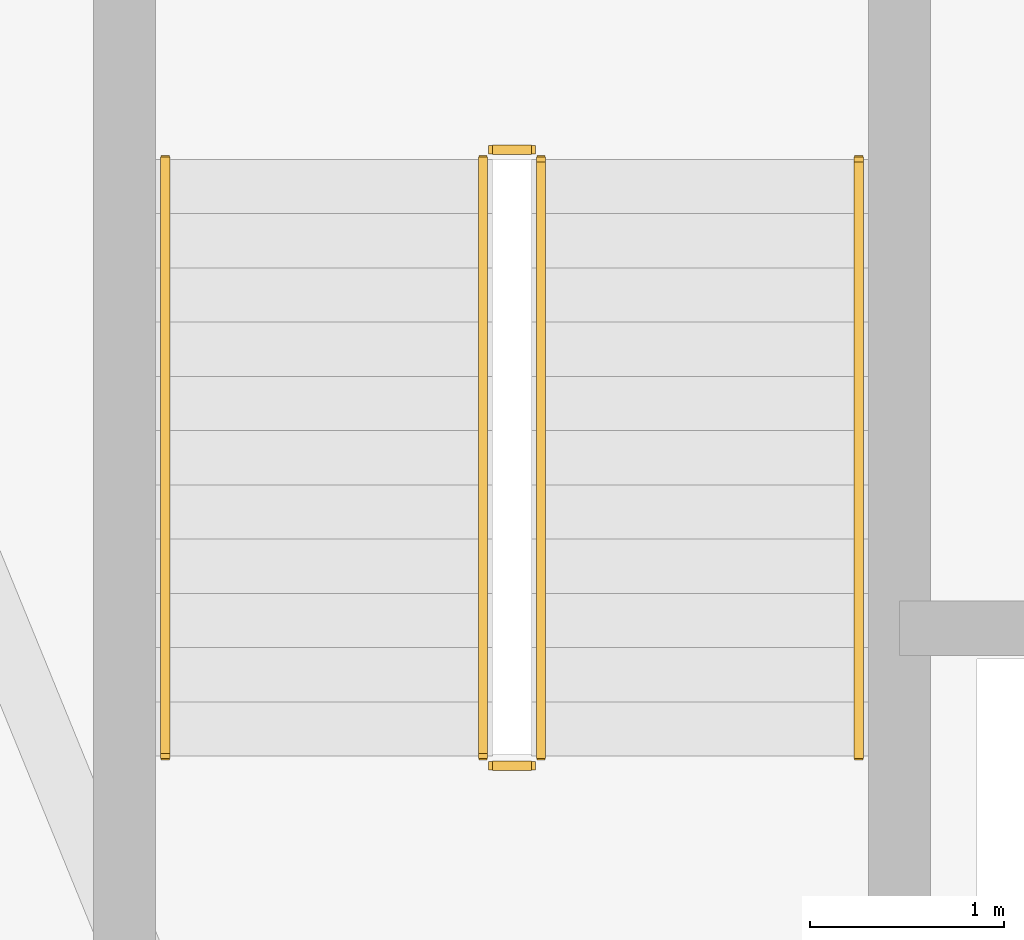
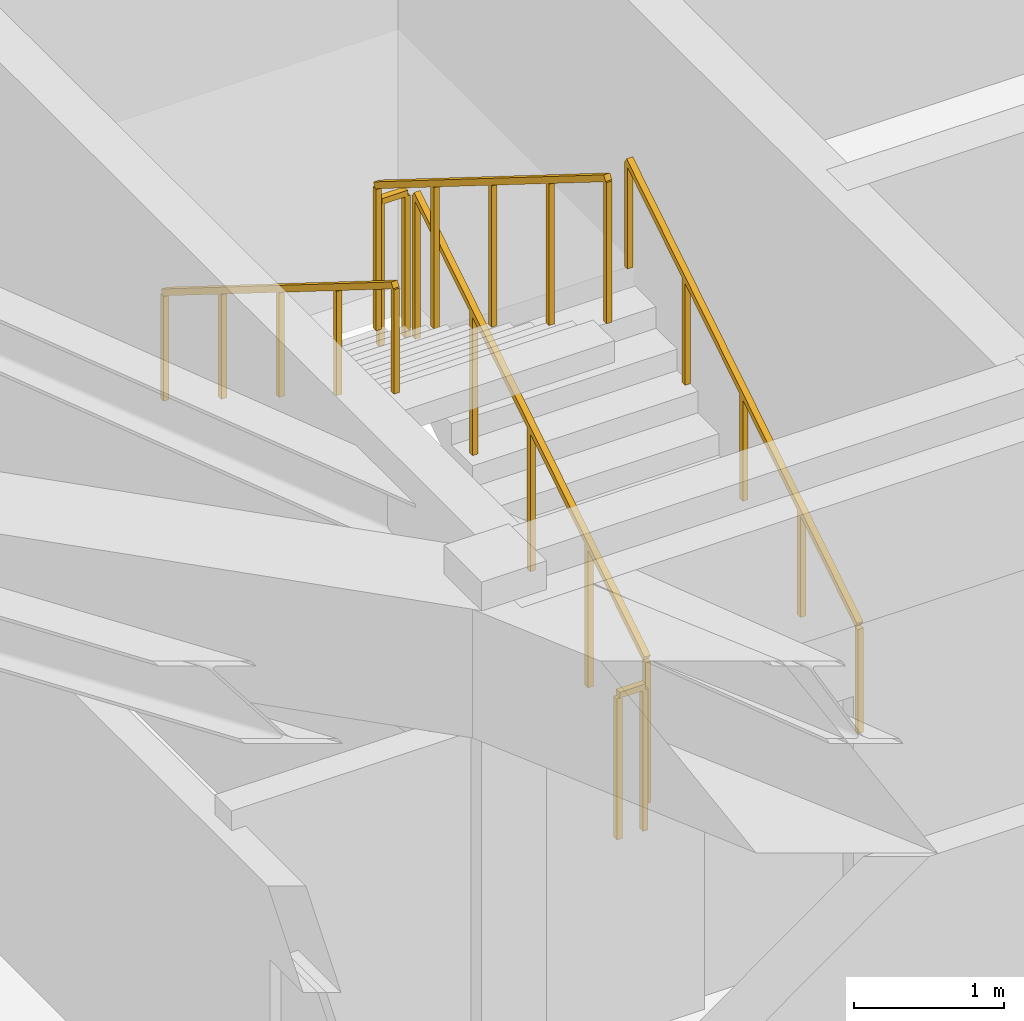
# One storey, part 7 of 7: 6 railings.
"""IFC4 building model written with IfcOpenShell, lengths in metres."""

from ifc_helpers import new_model, si_unit, direction, frame, origin, origin_2d, place, context, subcontext, project, spatial, rectangle, extrude, material, type_object, element, save


model = new_model("IFC4")

# Units and contexts
model_context = context("Model", 3, precision=1e-05, world=origin(), true_north=direction((0.0, 1.0)))
body_context = subcontext(model_context, "Body", "Model", "MODEL_VIEW")
ifc_project = project(units=[si_unit("LENGTHUNIT", "METRE"), si_unit("AREAUNIT", "SQUARE_METRE"), si_unit("VOLUMEUNIT", "CUBIC_METRE"), si_unit("PLANEANGLEUNIT", "RADIAN"), si_unit("MASSUNIT", "GRAM", prefix="KILO")], contexts=[model_context])

# Site, building, storey
site_placement = place(None, origin())
site = spatial("IfcSite", under=ifc_project, at=site_placement, CompositionType="ELEMENT")
building_placement = place(site_placement, origin())
building = spatial("IfcBuilding", under=site, at=building_placement, Name="Talyreon Biosciences Tower", CompositionType="ELEMENT")
storey_placement = place(building_placement, frame((0.0, 0.0, 321.39990234375)))
storey = spatial("IfcBuildingStorey", under=building, at=storey_placement, Name="L85", CompositionType="ELEMENT", Elevation=321.39990234375)

# Railings
ifc_material_1 = material(Name="Brushed stainless-steel tubular handrail", Category="steel")
railing_type_1 = type_object("IfcRailingType", Name="StairWallHandrail_900", PredefinedType="HANDRAIL", material=ifc_material_1)
railing_1_placement = place(storey_placement, frame((64.7900390625, 54.800048828125, 0.175048828125)))
element("IfcRailing", 1, at=railing_1_placement, inside=storey, type_object=railing_type_1, Name="L85 ST-4 stair handrail 1", PredefinedType="HANDRAIL", context=body_context, shape_type="SweptSolid", body=[
    extrude(rectangle(XDim=0.048095703125, YDim=0.048095703125, at=origin_2d()), frame((0.0, 0.0, 0.8759765625), z_axis=(0.0, 0.847979421464, 0.530029150871), x_axis=(-1.0, 0.0, 0.0)), (0.0, 0.0, 1.0), 3.632080078125),
    extrude(rectangle(XDim=0.0419921875, YDim=0.0419921875, at=origin_2d()), origin(), (0.0, 0.0, 1.0), 0.851806640625),
    extrude(rectangle(XDim=0.0419921875, YDim=0.0419921875, at=origin_2d()), frame((0.0, 0.77001953125, 0.481201171875)), (0.0, 0.0, 1.0), 0.851806640625),
    extrude(rectangle(XDim=0.0419921875, YDim=0.0419921875, at=origin_2d()), frame((0.0, 1.5400390625, 0.96240234375)), (0.0, 0.0, 1.0), 0.851806640625),
    extrude(rectangle(XDim=0.0419921875, YDim=0.0419921875, at=origin_2d()), frame((0.0, 2.309814453125, 1.44384765625)), (0.0, 0.0, 1.0), 0.851806640625),
    extrude(rectangle(XDim=0.0419921875, YDim=0.0419921875, at=origin_2d()), frame((0.0, 3.079833984375, 1.925048828125)), (0.0, 0.0, 1.0), 0.851806640625),
])
railing_2_placement = place(storey_placement, frame((61.2099609375, 57.8798828125, 2.275146484375)))
element("IfcRailing", 2, at=railing_2_placement, inside=storey, type_object=railing_type_1, Name="L85 ST-4 stair handrail 2", PredefinedType="HANDRAIL", context=body_context, shape_type="SweptSolid", body=[
    extrude(rectangle(XDim=0.048095703125, YDim=0.048095703125, at=origin_2d()), frame((0.0, 0.0, 0.8759765625), z_axis=(0.0, -0.847979421464, 0.530029150871), x_axis=(1.0, 0.0, 0.0)), (0.0, 0.0, 1.0), 3.632080078125),
    extrude(rectangle(XDim=0.0419921875, YDim=0.0419921875, at=origin_2d()), origin(), (0.0, 0.0, 1.0), 0.851806640625),
    extrude(rectangle(XDim=0.0419921875, YDim=0.0419921875, at=origin_2d()), frame((0.0, -0.77001953125, 0.481201171875)), (0.0, 0.0, 1.0), 0.851806640625),
    extrude(rectangle(XDim=0.0419921875, YDim=0.0419921875, at=origin_2d()), frame((0.0, -1.5400390625, 0.96240234375)), (0.0, 0.0, 1.0), 0.851806640625),
    extrude(rectangle(XDim=0.0419921875, YDim=0.0419921875, at=origin_2d()), frame((0.0, -2.309814453125, 1.44384765625)), (0.0, 0.0, 1.0), 0.851806640625),
    extrude(rectangle(XDim=0.0419921875, YDim=0.0419921875, at=origin_2d()), frame((0.0, -3.079833984375, 1.925048828125)), (0.0, 0.0, 1.0), 0.851806640625),
])
ifc_material_2 = material(Name="Painted galvanised steel post-and-rail balustrade", Category="steel")
railing_type_2 = type_object("IfcRailingType", Name="TerraceStairGuard_1200", PredefinedType="GUARDRAIL", material=ifc_material_2)
railing_3_placement = place(storey_placement, frame((63.14990234375, 54.800048828125, 0.175048828125)))
element("IfcRailing", 3, at=railing_3_placement, inside=storey, type_object=railing_type_2, Name="L85 ST-4 stair guard 1", PredefinedType="GUARDRAIL", context=body_context, shape_type="SweptSolid", body=[
    extrude(rectangle(XDim=0.048095703125, YDim=0.048095703125, at=origin_2d()), frame((0.0, 0.0, 1.17578125), z_axis=(0.0, 0.847979421464, 0.530029150871), x_axis=(-1.0, 0.0, 0.0)), (0.0, 0.0, 1.0), 3.632080078125),
    extrude(rectangle(XDim=0.0419921875, YDim=0.0419921875, at=origin_2d()), origin(), (0.0, 0.0, 1.0), 1.15185546875),
    extrude(rectangle(XDim=0.0419921875, YDim=0.0419921875, at=origin_2d()), frame((0.0, 0.77001953125, 0.481201171875)), (0.0, 0.0, 1.0), 1.15185546875),
    extrude(rectangle(XDim=0.0419921875, YDim=0.0419921875, at=origin_2d()), frame((0.0, 1.5400390625, 0.96240234375)), (0.0, 0.0, 1.0), 1.15185546875),
    extrude(rectangle(XDim=0.0419921875, YDim=0.0419921875, at=origin_2d()), frame((0.0, 2.309814453125, 1.44384765625)), (0.0, 0.0, 1.0), 1.15185546875),
    extrude(rectangle(XDim=0.0419921875, YDim=0.0419921875, at=origin_2d()), frame((0.0, 3.079833984375, 1.925048828125)), (0.0, 0.0, 1.0), 1.15185546875),
])
railing_4_placement = place(storey_placement, frame((63.10009765625, 57.929931640625, 2.10009765625)))
element("IfcRailing", 4, at=railing_4_placement, inside=storey, type_object=railing_type_2, Name="L85 ST-4 stair guard 2", PredefinedType="GUARDRAIL", context=body_context, shape_type="SweptSolid", body=[
    extrude(rectangle(XDim=0.048095703125, YDim=0.048095703125, at=origin_2d()), frame((0.0, 0.0, 1.17578125), z_axis=(-1.0, 0.0, 0.0), x_axis=(0.0, -1.0, 0.0)), (0.0, 0.0, 1.0), 0.2001953125),
    extrude(rectangle(XDim=0.0419921875, YDim=0.0419921875, at=origin_2d()), origin(), (0.0, 0.0, 1.0), 1.15185546875),
    extrude(rectangle(XDim=0.0419921875, YDim=0.0419921875, at=origin_2d()), frame((-0.2001953125, 0.0, 0.0)), (0.0, 0.0, 1.0), 1.15185546875),
])
railing_5_placement = place(storey_placement, frame((62.85009765625, 57.8798828125, 2.275146484375)))
element("IfcRailing", 5, at=railing_5_placement, inside=storey, type_object=railing_type_2, Name="L85 ST-4 stair guard 3", PredefinedType="GUARDRAIL", context=body_context, shape_type="SweptSolid", body=[
    extrude(rectangle(XDim=0.048095703125, YDim=0.048095703125, at=origin_2d()), frame((0.0, 0.0, 1.17578125), z_axis=(0.0, -0.847979421464, 0.530029150871), x_axis=(1.0, 0.0, 0.0)), (0.0, 0.0, 1.0), 3.632080078125),
    extrude(rectangle(XDim=0.0419921875, YDim=0.0419921875, at=origin_2d()), origin(), (0.0, 0.0, 1.0), 1.15185546875),
    extrude(rectangle(XDim=0.0419921875, YDim=0.0419921875, at=origin_2d()), frame((0.0, -0.77001953125, 0.481201171875)), (0.0, 0.0, 1.0), 1.15185546875),
    extrude(rectangle(XDim=0.0419921875, YDim=0.0419921875, at=origin_2d()), frame((0.0, -1.5400390625, 0.96240234375)), (0.0, 0.0, 1.0), 1.15185546875),
    extrude(rectangle(XDim=0.0419921875, YDim=0.0419921875, at=origin_2d()), frame((0.0, -2.309814453125, 1.44384765625)), (0.0, 0.0, 1.0), 1.15185546875),
    extrude(rectangle(XDim=0.0419921875, YDim=0.0419921875, at=origin_2d()), frame((0.0, -3.079833984375, 1.925048828125)), (0.0, 0.0, 1.0), 1.15185546875),
])
railing_6_placement = place(storey_placement, frame((63.10009765625, 54.75, 0.0)))
element("IfcRailing", 6, at=railing_6_placement, inside=storey, type_object=railing_type_2, Name="L85 ST-4 stair guard 4", PredefinedType="GUARDRAIL", context=body_context, shape_type="SweptSolid", body=[
    extrude(rectangle(XDim=0.048095703125, YDim=0.048095703125, at=origin_2d()), frame((0.0, 0.0, 1.17578125), z_axis=(-1.0, 0.0, 0.0), x_axis=(0.0, -1.0, 0.0)), (0.0, 0.0, 1.0), 0.2001953125),
    extrude(rectangle(XDim=0.0419921875, YDim=0.0419921875, at=origin_2d()), origin(), (0.0, 0.0, 1.0), 1.15185546875),
    extrude(rectangle(XDim=0.0419921875, YDim=0.0419921875, at=origin_2d()), frame((-0.2001953125, 0.0, 0.0)), (0.0, 0.0, 1.0), 1.15185546875),
])

save(model, "model.ifc")
